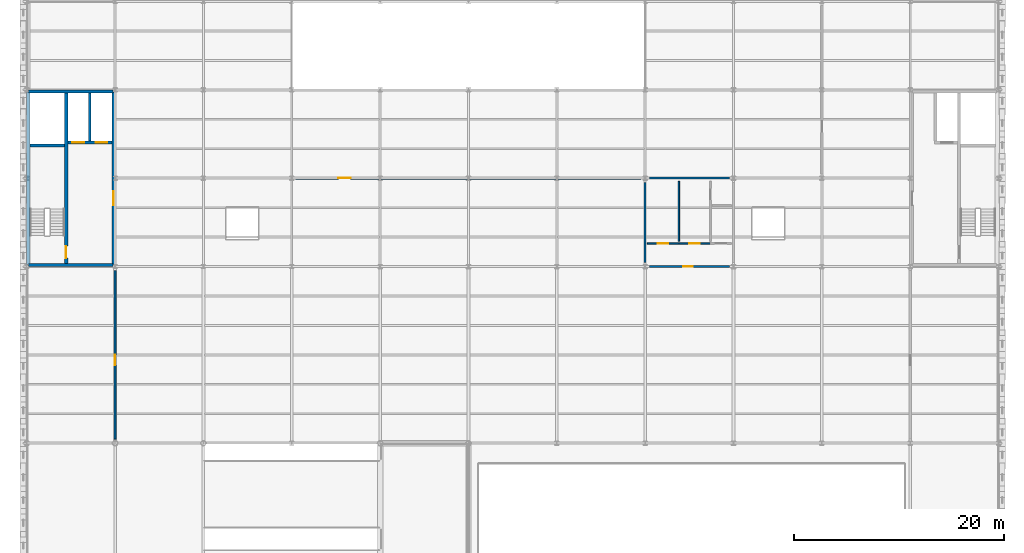
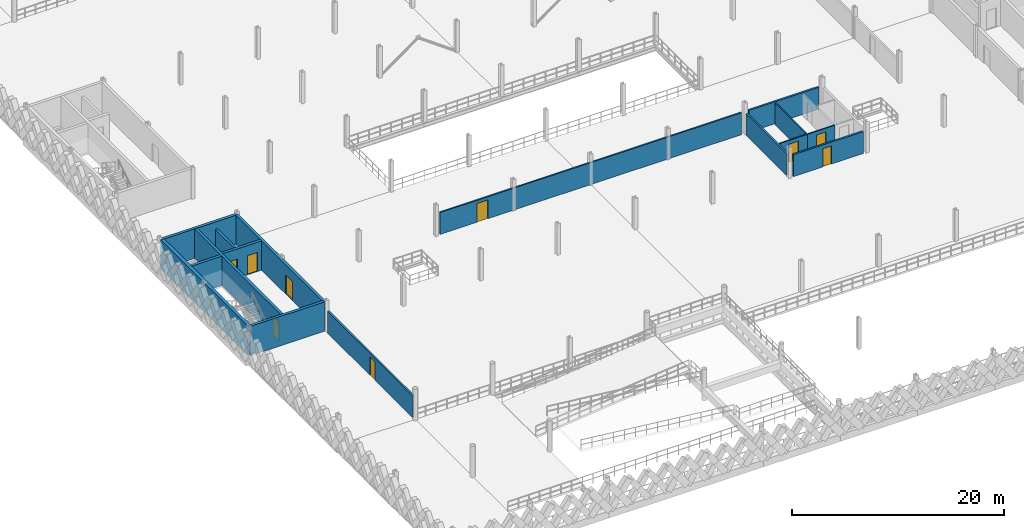
# One storey, part 62 of 79: 16 walls, 9 doors, 9 openings.
"""IFC4 building model written with IfcOpenShell, lengths in metres."""

from ifc_helpers import new_model, si_unit, direction, frame, frame_2d, origin, place, context, subcontext, project, spatial, rectangle, extrude, material, layer, layer_set, type_object, element, fill, save


model = new_model("IFC4")

# Units and contexts
model_context = context("Model", 3, precision=1e-05, world=origin(), true_north=direction((0.0, 1.0)))
body_context = subcontext(model_context, "Body", "Model", "MODEL_VIEW")
ifc_project = project(units=[si_unit("LENGTHUNIT", "METRE"), si_unit("AREAUNIT", "SQUARE_METRE"), si_unit("VOLUMEUNIT", "CUBIC_METRE"), si_unit("PLANEANGLEUNIT", "RADIAN"), si_unit("MASSUNIT", "GRAM", prefix="KILO"), si_unit("THERMODYNAMICTEMPERATUREUNIT", "KELVIN"), si_unit("POWERUNIT", "WATT")], contexts=[model_context])

# Site, building, storey
site_placement = place(None, origin())
site = spatial("IfcSite", under=ifc_project, at=site_placement, CompositionType="ELEMENT")
building_placement = place(site_placement, origin())
building = spatial("IfcBuilding", under=site, at=building_placement, Name="Tembeka Court Mobility Hub", CompositionType="ELEMENT")
storey_placement = place(building_placement, frame((0.0, 0.0, 9.0)))
storey = spatial("IfcBuildingStorey", under=building, at=storey_placement, Name="L02", CompositionType="ELEMENT", Elevation=9.0)

# Wall
ifc_material_1 = material(Name="Concrete C40/50", Category="concrete")
ifc_layer_1 = layer(ifc_material_1, 0.25)
ifc_layer_set_1 = layer_set([ifc_layer_1], Name="Concrete C40/50")
wall_type_1 = type_object("IfcWallType", Name="WL-IW01", PredefinedType="PARTITIONING", material=ifc_layer_set_1)
wall_1_placement = place(storey_placement, frame((6.0, 50.35009765625, 0.0), z_axis=(0.0, 0.0, 1.0), x_axis=(0.0, 1.0, 0.0)))
element("IfcWall", 1, at=wall_1_placement, inside=storey, type_object=wall_type_1, Name="Wall IW01 (IW-L02-0032)", PredefinedType="PARTITIONING", context=body_context, shape_type="SweptSolid", body=[
    extrude(rectangle(XDim=4.5498046875, YDim=0.25, at=frame_2d((2.27490234375, 0.0))), origin(), (0.0, 0.0, 1.0), 2.52490234375),
])

# Wall, opening, door
ifc_material_2 = material(Name="Concrete blockwork masonry", Category="masonry")
ifc_layer_2 = layer(ifc_material_2, 0.199951171875)
ifc_layer_set_2 = layer_set([ifc_layer_2], Name="Concrete blockwork masonry")
wall_type_2 = type_object("IfcWallType", Name="WL-IW02", PredefinedType="PARTITIONING", material=ifc_layer_set_2)
wall_2_placement = place(storey_placement, frame((59.199951171875, 38.39990234375, 0.0), z_axis=(0.0, 0.0, 1.0), x_axis=(1.0, 0.0, 0.0)))
wall_2 = element("IfcWall", 2, at=wall_2_placement, inside=storey, type_object=wall_type_2, Name="Wall IW02 (IW-L02-0366)", PredefinedType="PARTITIONING", context=body_context, shape_type="SweptSolid", body=[
    extrude(rectangle(XDim=7.60009765625, YDim=0.199951171875, at=frame_2d((3.800048828125, 0.0))), origin(), (0.0, 0.0, 1.0), 2.52490234375),
])
opening_1_placement = place(wall_2_placement, frame((3.199951171875, 0.0, 0.0)))
opening_1 = element("IfcOpeningElement", 3, at=opening_1_placement, cuts=wall_2, Name="Opening ID03", PredefinedType="OPENING", context=body_context, shape_type="SweptSolid", body=[
    extrude(rectangle(XDim=0.919921875, YDim=2.10009765625, at=frame_2d((0.4599609375, 1.050048828125))), frame((0.0, 0.10986328125, 0.0), z_axis=(0.0, -1.0, 0.0), x_axis=(1.0, 0.0, 0.0)), (0.0, 0.0, 1.0), 0.219970703125),
])
ifc_material_3 = material(Name="Galvanised steel fire/shutter doorset", Category="steel")
door_type_1 = type_object("IfcDoorType", Name="DR-ID03", OperationType="NOTDEFINED", PredefinedType="DOOR", material=ifc_material_3)
door_1_placement = place(opening_1_placement, origin())
door_1 = element("IfcDoor", 4, at=door_1_placement, inside=storey, type_object=door_type_1, Name="L02 washroom lobby entrance", OperationType="SINGLE_SWING_RIGHT", OverallHeight=2.10009765625, OverallWidth=0.919921875, PredefinedType="DOOR", context=body_context, shape_type="SweptSolid", body=[
    extrude(rectangle(XDim=0.919921875, YDim=2.10009765625, at=frame_2d((0.4599609375, 1.050048828125))), frame((0.0, 0.02490234375, 0.0), z_axis=(0.0, -1.0, 0.0), x_axis=(1.0, 0.0, 0.0)), (0.0, 0.0, 1.0), 0.050048828125),
])
fill(opening_1, door_1)

# Walls
wall_3_placement = place(storey_placement, frame((59.199951171875, 46.800048828125, 0.0), z_axis=(0.0, 0.0, 1.0), x_axis=(1.0, 0.0, 0.0)))
element("IfcWall", 5, at=wall_3_placement, inside=storey, type_object=wall_type_2, Name="Wall IW02 (IW-L02-0367)", PredefinedType="PARTITIONING", context=body_context, shape_type="SweptSolid", body=[
    extrude(rectangle(XDim=7.60009765625, YDim=0.199951171875, at=frame_2d((3.800048828125, 0.0))), origin(), (0.0, 0.0, 1.0), 2.52490234375),
])
wall_4_placement = place(storey_placement, frame((58.800048828125, 38.800048828125, 0.0), z_axis=(0.0, 0.0, 1.0), x_axis=(0.0, 1.0, 0.0)))
element("IfcWall", 6, at=wall_4_placement, inside=storey, type_object=wall_type_2, Name="Wall IW02 (IW-L02-0368)", PredefinedType="PARTITIONING", context=body_context, shape_type="SweptSolid", body=[
    extrude(rectangle(XDim=7.599853515625, YDim=0.199951171875, at=frame_2d((3.7998046875, 0.0))), origin(), (0.0, 0.0, 1.0), 2.52490234375),
])

# Wall, opening, door
ifc_layer_3 = layer(ifc_material_2, 0.179931640625)
ifc_layer_set_3 = layer_set([ifc_layer_3], Name="Concrete blockwork masonry")
wall_type_3 = type_object("IfcWallType", Name="WL-IW03", PredefinedType="PARTITIONING", material=ifc_layer_set_3)
wall_5_placement = place(storey_placement, frame((8.39990234375, 22.0, 0.0), z_axis=(0.0, 0.0, 1.0), x_axis=(0.0, 1.0, 0.0)))
wall_5 = element("IfcWall", 7, at=wall_5_placement, inside=storey, type_object=wall_type_3, Name="Wall IW03 (IW-L02-0436)", PredefinedType="PARTITIONING", context=body_context, shape_type="SweptSolid", body=[
    extrude(rectangle(XDim=16.0, YDim=0.179931640625, at=frame_2d((8.0, 0.0))), origin(), (0.0, 0.0, 1.0), 2.52490234375),
])
opening_2_placement = place(wall_5_placement, frame((7.0, 0.0, 0.0)))
opening_2 = element("IfcOpeningElement", 8, at=opening_2_placement, cuts=wall_5, Name="Opening FD05", PredefinedType="OPENING", context=body_context, shape_type="SweptSolid", body=[
    extrude(rectangle(XDim=1.0, YDim=2.14990234375, at=frame_2d((0.5, 1.074951171875))), frame((0.0, 0.10009765625, 0.0), z_axis=(0.0, -1.0, 0.0), x_axis=(1.0, 0.0, 0.0)), (0.0, 0.0, 1.0), 0.199951171875),
])
door_type_2 = type_object("IfcDoorType", Name="DR-FD05", OperationType="NOTDEFINED", PredefinedType="DOOR", material=ifc_material_3)
door_2_placement = place(opening_2_placement, origin())
door_2 = element("IfcDoor", 9, at=door_2_placement, inside=storey, type_object=door_type_2, Name="Door FD05-0209", OperationType="SINGLE_SWING_RIGHT", OverallHeight=2.14990234375, OverallWidth=1.0, PredefinedType="DOOR", context=body_context, shape_type="SweptSolid", body=[
    extrude(rectangle(XDim=1.0, YDim=2.14990234375, at=frame_2d((0.5, 1.074951171875))), frame((0.0, 0.02490234375, 0.0), z_axis=(0.0, -1.0, 0.0), x_axis=(1.0, 0.0, 0.0)), (0.0, 0.0, 1.0), 0.050048828125),
])
fill(opening_2, door_2)

ifc_material_4 = material(Name="Acoustic metal-stud gypsum partition", Category="masonry")
ifc_layer_4 = layer(ifc_material_4, 0.159912109375)
ifc_layer_set_4 = layer_set([ifc_layer_4], Name="Acoustic metal-stud gypsum partition")
wall_type_4 = type_object("IfcWallType", Name="WL-IW04", PredefinedType="PARTITIONING", material=ifc_layer_set_4)
wall_6_placement = place(storey_placement, frame((25.60009765625, 46.800048828125, 0.0), z_axis=(0.0, 0.0, 1.0), x_axis=(1.0, 0.0, 0.0)))
wall_6 = element("IfcWall", 10, at=wall_6_placement, inside=storey, type_object=wall_type_4, Name="Wall IW04 (IW-L02-0438)", PredefinedType="PARTITIONING", context=body_context, shape_type="SweptSolid", body=[
    extrude(rectangle(XDim=32.7998046875, YDim=0.159912109375, at=frame_2d((16.39990234375, 0.0))), origin(), (0.0, 0.0, 1.0), 2.52490234375),
])
opening_3_placement = place(wall_6_placement, frame((4.0, 0.0, 0.0)))
opening_3 = element("IfcOpeningElement", 11, at=opening_3_placement, cuts=wall_6, Name="Opening ID04", PredefinedType="OPENING", context=body_context, shape_type="SweptSolid", body=[
    extrude(rectangle(XDim=1.199951171875, YDim=2.14990234375, at=frame_2d((0.60009765625, 1.074951171875))), frame((0.0, 0.08984375, 0.0), z_axis=(0.0, -1.0, 0.0), x_axis=(1.0, 0.0, 0.0)), (0.0, 0.0, 1.0), 0.179931640625),
])
ifc_material_5 = material(Name="Powder-coated aluminium glazed doorset", Category="aluminium")
door_type_3 = type_object("IfcDoorType", Name="DR-ID04", OperationType="NOTDEFINED", PredefinedType="DOOR", material=ifc_material_5)
door_3_placement = place(opening_3_placement, origin())
door_3 = element("IfcDoor", 12, at=door_3_placement, inside=storey, type_object=door_type_3, Name="Door ID04-0211", OperationType="SINGLE_SWING_RIGHT", OverallHeight=2.14990234375, OverallWidth=1.199951171875, PredefinedType="DOOR", context=body_context, shape_type="SweptSolid", body=[
    extrude(rectangle(XDim=1.199951171875, YDim=2.14990234375, at=frame_2d((0.60009765625, 1.074951171875))), frame((0.0, 0.02490234375, 0.0), z_axis=(0.0, -1.0, 0.0), x_axis=(1.0, 0.0, 0.0)), (0.0, 0.0, 1.0), 0.050048828125),
])
fill(opening_3, door_3)

ifc_material_6 = material(Name="Moisture-resistant gypsum partition", Category="masonry")
ifc_layer_5 = layer(ifc_material_6, 0.139892578125)
ifc_layer_set_5 = layer_set([ifc_layer_5], Name="Moisture-resistant gypsum partition")
wall_type_5 = type_object("IfcWallType", Name="WL-IW05", PredefinedType="PARTITIONING", material=ifc_layer_set_5)
wall_7_placement = place(storey_placement, frame((59.0, 40.60009765625, 0.0), z_axis=(0.0, 0.0, 1.0), x_axis=(1.0, 0.0, 0.0)))
wall_7 = element("IfcWall", 13, at=wall_7_placement, inside=storey, type_object=wall_type_5, Name="Wall IW05 (IW-L02-0370)", PredefinedType="PARTITIONING", context=body_context, shape_type="SweptSolid", body=[
    extrude(rectangle(XDim=3.0, YDim=0.139892578125, at=frame_2d((1.5, 0.0))), origin(), (0.0, 0.0, 1.0), 2.52490234375),
])
opening_4_placement = place(wall_7_placement, frame((1.0, 0.0, 0.0)))
opening_4 = element("IfcOpeningElement", 14, at=opening_4_placement, cuts=wall_7, Name="Opening ID02", PredefinedType="OPENING", context=body_context, shape_type="SweptSolid", body=[
    extrude(rectangle(XDim=1.0, YDim=2.10009765625, at=frame_2d((0.5, 1.050048828125))), frame((0.0, 0.080078125, 0.0), z_axis=(0.0, -1.0, 0.0), x_axis=(1.0, 0.0, 0.0)), (0.0, 0.0, 1.0), 0.159912109375),
])
door_type_4 = type_object("IfcDoorType", Name="DR-ID02", OperationType="NOTDEFINED", PredefinedType="DOOR", material=ifc_material_5)
door_4_placement = place(opening_4_placement, origin())
door_4 = element("IfcDoor", 15, at=door_4_placement, inside=storey, type_object=door_type_4, Name="L02 male WC door", OperationType="SINGLE_SWING_LEFT", OverallHeight=2.10009765625, OverallWidth=1.0, PredefinedType="DOOR", context=body_context, shape_type="SweptSolid", body=[
    extrude(rectangle(XDim=1.0, YDim=2.10009765625, at=frame_2d((0.5, 1.050048828125))), frame((0.0, 0.02490234375, 0.0), z_axis=(0.0, -1.0, 0.0), x_axis=(1.0, 0.0, 0.0)), (0.0, 0.0, 1.0), 0.050048828125),
])
fill(opening_4, door_4)

wall_8_placement = place(storey_placement, frame((62.0, 40.60009765625, 0.0), z_axis=(0.0, 0.0, 1.0), x_axis=(1.0, 0.0, 0.0)))
wall_8 = element("IfcWall", 16, at=wall_8_placement, inside=storey, type_object=wall_type_5, Name="Wall IW05 (IW-L02-0371)", PredefinedType="PARTITIONING", context=body_context, shape_type="SweptSolid", body=[
    extrude(rectangle(XDim=3.0, YDim=0.139892578125, at=frame_2d((1.5, 0.0))), origin(), (0.0, 0.0, 1.0), 2.52490234375),
])
opening_5_placement = place(wall_8_placement, frame((1.0, 0.0, 0.0)))
opening_5 = element("IfcOpeningElement", 17, at=opening_5_placement, cuts=wall_8, Name="Opening ID02", PredefinedType="OPENING", context=body_context, shape_type="SweptSolid", body=[
    extrude(rectangle(XDim=1.0, YDim=2.10009765625, at=frame_2d((0.5, 1.050048828125))), frame((0.0, 0.080078125, 0.0), z_axis=(0.0, -1.0, 0.0), x_axis=(1.0, 0.0, 0.0)), (0.0, 0.0, 1.0), 0.159912109375),
])
door_5_placement = place(opening_5_placement, origin())
door_5 = element("IfcDoor", 18, at=door_5_placement, inside=storey, type_object=door_type_4, Name="L02 female WC door", OperationType="SINGLE_SWING_RIGHT", OverallHeight=2.10009765625, OverallWidth=1.0, PredefinedType="DOOR", context=body_context, shape_type="SweptSolid", body=[
    extrude(rectangle(XDim=1.0, YDim=2.10009765625, at=frame_2d((0.5, 1.050048828125))), frame((0.0, 0.02490234375, 0.0), z_axis=(0.0, -1.0, 0.0), x_axis=(1.0, 0.0, 0.0)), (0.0, 0.0, 1.0), 0.050048828125),
])
fill(opening_5, door_5)

# Walls
wall_9_placement = place(storey_placement, frame((62.0, 40.800048828125, 0.0), z_axis=(0.0, 0.0, 1.0), x_axis=(0.0, 1.0, 0.0)))
element("IfcWall", 19, at=wall_9_placement, inside=storey, type_object=wall_type_5, Name="Wall IW05 (IW-L02-0373)", PredefinedType="PARTITIONING", context=body_context, shape_type="SweptSolid", body=[
    extrude(rectangle(XDim=5.699951171875, YDim=0.139892578125, at=frame_2d((2.85009765625, 0.0))), origin(), (0.0, 0.0, 1.0), 2.52490234375),
])
ifc_layer_6 = layer(ifc_material_1, 0.300048828125)
ifc_layer_set_6 = layer_set([ifc_layer_6], Name="Concrete C40/50")
wall_type_6 = type_object("IfcWallType", Name="WL-SW01", PredefinedType="SHEAR", material=ifc_layer_set_6)
for number, where, z_axis, x_axis, name in (
    (20, (0.1845703125, 38.550048828125, 0.0), (0.0, 0.0, 1.0), (1.0, 0.0, 0.0), "Wall SW01 (IW-L02-0025)"),
    (21, (0.1845703125, 55.050048828125, 0.0), (0.0, 0.0, 1.0), (1.0, 0.0, 0.0), "Wall SW01 (IW-L02-0026)"),
):
    element("IfcWall", number, at=place(storey_placement, frame(where, z_axis=z_axis, x_axis=x_axis)), inside=storey, type_object=wall_type_6, Name=name, PredefinedType="SHEAR", context=body_context, shape_type="SweptSolid", body=[
        extrude(rectangle(XDim=8.031005859375, YDim=0.300048828125, at=frame_2d((4.015625, 0.0))), origin(), (0.0, 0.0, 1.0), 3.3798828125),
    ])
wall_10_placement = place(storey_placement, frame((0.300048828125, 49.89990234375, 0.0), z_axis=(0.0, 0.0, 1.0), x_axis=(1.0, 0.0, 0.0)))
element("IfcWall", 22, at=wall_10_placement, inside=storey, type_object=wall_type_6, Name="Wall SW01 (IW-L02-0027)", PredefinedType="SHEAR", context=body_context, shape_type="SweptSolid", body=[
    extrude(rectangle(XDim=3.300048828125, YDim=0.300048828125, at=frame_2d((1.64990234375, 0.0))), origin(), (0.0, 0.0, 1.0), 3.3798828125),
])

# Wall, opening, door
wall_11_placement = place(storey_placement, frame((8.25, 38.58203125, 0.0), z_axis=(0.0, 0.0, 1.0), x_axis=(0.0, 1.0, 0.0)))
wall_11 = element("IfcWall", 23, at=wall_11_placement, inside=storey, type_object=wall_type_6, Name="Wall SW01 (IW-L02-0029)", PredefinedType="SHEAR", context=body_context, shape_type="SweptSolid", body=[
    extrude(rectangle(XDim=16.43603515625, YDim=0.300048828125, at=frame_2d((8.218017578125, 0.0))), origin(), (0.0, 0.0, 1.0), 3.3798828125),
])
opening_6_placement = place(wall_11_placement, frame((5.66796875, 0.0, 0.0)))
opening_6 = element("IfcOpeningElement", 24, at=opening_6_placement, cuts=wall_11, Name="Opening FD02", PredefinedType="OPENING", context=body_context, shape_type="SweptSolid", body=[
    extrude(rectangle(XDim=1.300048828125, YDim=2.199951171875, at=frame_2d((0.64990234375, 1.10009765625))), frame((0.0, 0.16015625, 0.0), z_axis=(0.0, -1.0, 0.0), x_axis=(1.0, 0.0, 0.0)), (0.0, 0.0, 1.0), 0.320068359375),
])
door_type_5 = type_object("IfcDoorType", Name="DR-FD02", OperationType="NOTDEFINED", PredefinedType="DOOR", material=ifc_material_3)
door_6_placement = place(opening_6_placement, origin())
door_6 = element("IfcDoor", 25, at=door_6_placement, inside=storey, type_object=door_type_5, Name="Door FD02-0014", OperationType="SINGLE_SWING_LEFT", OverallHeight=2.199951171875, OverallWidth=1.300048828125, PredefinedType="DOOR", context=body_context, shape_type="SweptSolid", body=[
    extrude(rectangle(XDim=1.300048828125, YDim=2.199951171875, at=frame_2d((0.64990234375, 1.10009765625))), frame((0.0, 0.02490234375, 0.0), z_axis=(0.0, -1.0, 0.0), x_axis=(1.0, 0.0, 0.0)), (0.0, 0.0, 1.0), 0.050048828125),
])
fill(opening_6, door_6)

wall_12_placement = place(storey_placement, frame((3.75, 38.699951171875, 0.0), z_axis=(0.0, 0.0, 1.0), x_axis=(0.0, 1.0, 0.0)))
wall_12 = element("IfcWall", 26, at=wall_12_placement, inside=storey, type_object=wall_type_6, Name="Wall SW01 (IW-L02-0030)", PredefinedType="SHEAR", context=body_context, shape_type="SweptSolid", body=[
    extrude(rectangle(XDim=16.199951171875, YDim=0.300048828125, at=frame_2d((8.10009765625, 0.0))), origin(), (0.0, 0.0, 1.0), 3.3798828125),
])
opening_7_placement = place(wall_12_placement, frame((0.5, 0.0, 0.0)))
opening_7 = element("IfcOpeningElement", 27, at=opening_7_placement, cuts=wall_12, Name="Opening FD03", PredefinedType="OPENING", context=body_context, shape_type="SweptSolid", body=[
    extrude(rectangle(XDim=1.14990234375, YDim=2.14990234375, at=frame_2d((0.574951171875, 1.074951171875))), frame((0.0, 0.16015625, 0.0), z_axis=(0.0, -1.0, 0.0), x_axis=(1.0, 0.0, 0.0)), (0.0, 0.0, 1.0), 0.320068359375),
])
door_type_6 = type_object("IfcDoorType", Name="DR-FD03", OperationType="NOTDEFINED", PredefinedType="DOOR", material=ifc_material_3)
door_7_placement = place(opening_7_placement, frame((1.14990234375, 0.0, 0.0), z_axis=(0.0, 0.0, 1.0), x_axis=(-1.0, 0.0, 0.0)))
door_7 = element("IfcDoor", 28, at=door_7_placement, inside=storey, type_object=door_type_6, Name="Door FD03-0015", OperationType="SINGLE_SWING_LEFT", OverallHeight=2.14990234375, OverallWidth=1.14990234375, PredefinedType="DOOR", context=body_context, shape_type="SweptSolid", body=[
    extrude(rectangle(XDim=1.14990234375, YDim=2.14990234375, at=frame_2d((0.574951171875, 1.074951171875))), frame((0.0, 0.02490234375, 0.0), z_axis=(0.0, -1.0, 0.0), x_axis=(1.0, 0.0, 0.0)), (0.0, 0.0, 1.0), 0.050048828125),
])
fill(opening_7, door_7)

# Wall, openings, doors
wall_13_placement = place(storey_placement, frame((3.89990234375, 50.199951171875, 0.0), z_axis=(0.0, 0.0, 1.0), x_axis=(1.0, 0.0, 0.0)))
wall_13 = element("IfcWall", 29, at=wall_13_placement, inside=storey, type_object=wall_type_6, Name="Wall SW01 (IW-L02-0031)", PredefinedType="SHEAR", context=body_context, shape_type="SweptSolid", body=[
    extrude(rectangle(XDim=4.2001953125, YDim=0.300048828125, at=frame_2d((2.10009765625, 0.0))), origin(), (0.0, 0.0, 1.0), 3.3798828125),
])
opening_8_placement = place(wall_13_placement, frame((0.449951171875, 0.0, 0.0)))
opening_8 = element("IfcOpeningElement", 30, at=opening_8_placement, cuts=wall_13, Name="Opening LD01", PredefinedType="OPENING", context=body_context, shape_type="SweptSolid", body=[
    extrude(rectangle(XDim=1.10009765625, YDim=2.199951171875, at=frame_2d((0.550048828125, 1.10009765625))), frame((0.0, 0.16015625, 0.0), z_axis=(0.0, -1.0, 0.0), x_axis=(1.0, 0.0, 0.0)), (0.0, 0.0, 1.0), 0.320068359375),
])
opening_9_placement = place(wall_13_placement, frame((2.64990234375, 0.0, 0.0)))
opening_9 = element("IfcOpeningElement", 31, at=opening_9_placement, cuts=wall_13, Name="Opening LD01", PredefinedType="OPENING", context=body_context, shape_type="SweptSolid", body=[
    extrude(rectangle(XDim=1.10009765625, YDim=2.199951171875, at=frame_2d((0.550048828125, 1.10009765625))), frame((0.0, 0.16015625, 0.0), z_axis=(0.0, -1.0, 0.0), x_axis=(1.0, 0.0, 0.0)), (0.0, 0.0, 1.0), 0.320068359375),
])
door_type_7 = type_object("IfcDoorType", Name="DR-LD01", OperationType="SLIDING_TO_LEFT", PredefinedType="DOOR", material=ifc_material_3)
door_8_placement = place(opening_8_placement, origin())
door_8 = element("IfcDoor", 32, at=door_8_placement, inside=storey, type_object=door_type_7, Name="Lift LF01 landing door L02", OperationType="SLIDING_TO_LEFT", OverallHeight=2.199951171875, OverallWidth=1.10009765625, PredefinedType="DOOR", context=body_context, shape_type="SweptSolid", body=[
    extrude(rectangle(XDim=1.10009765625, YDim=2.199951171875, at=frame_2d((0.550048828125, 1.10009765625))), frame((0.0, 0.02490234375, 0.0), z_axis=(0.0, -1.0, 0.0), x_axis=(1.0, 0.0, 0.0)), (0.0, 0.0, 1.0), 0.050048828125),
])
fill(opening_8, door_8)
door_9_placement = place(opening_9_placement, origin())
door_9 = element("IfcDoor", 33, at=door_9_placement, inside=storey, type_object=door_type_7, Name="Lift LF03 landing door L02", OperationType="SLIDING_TO_LEFT", OverallHeight=2.199951171875, OverallWidth=1.10009765625, PredefinedType="DOOR", context=body_context, shape_type="SweptSolid", body=[
    extrude(rectangle(XDim=1.10009765625, YDim=2.199951171875, at=frame_2d((0.550048828125, 1.10009765625))), frame((0.0, 0.02490234375, 0.0), z_axis=(0.0, -1.0, 0.0), x_axis=(1.0, 0.0, 0.0)), (0.0, 0.0, 1.0), 0.050048828125),
])
fill(opening_9, door_9)

# Wall
ifc_layer_7 = layer(ifc_material_1, 0.35009765625)
ifc_layer_set_7 = layer_set([ifc_layer_7], Name="Concrete C40/50")
wall_type_7 = type_object("IfcWallType", Name="WL-SW02", PredefinedType="SHEAR", material=ifc_layer_set_7)
wall_14_placement = place(storey_placement, frame((0.14990234375, 38.58203125, 0.0), z_axis=(0.0, 0.0, 1.0), x_axis=(0.0, 1.0, 0.0)))
element("IfcWall", 34, at=wall_14_placement, inside=storey, type_object=wall_type_7, Name="Wall SW02 (IW-L02-0028)", PredefinedType="SHEAR", context=body_context, shape_type="SweptSolid", body=[
    extrude(rectangle(XDim=16.43603515625, YDim=0.35009765625, at=frame_2d((8.218017578125, 0.0))), origin(), (0.0, 0.0, 1.0), 3.3798828125),
])

save(model, "model.ifc")
